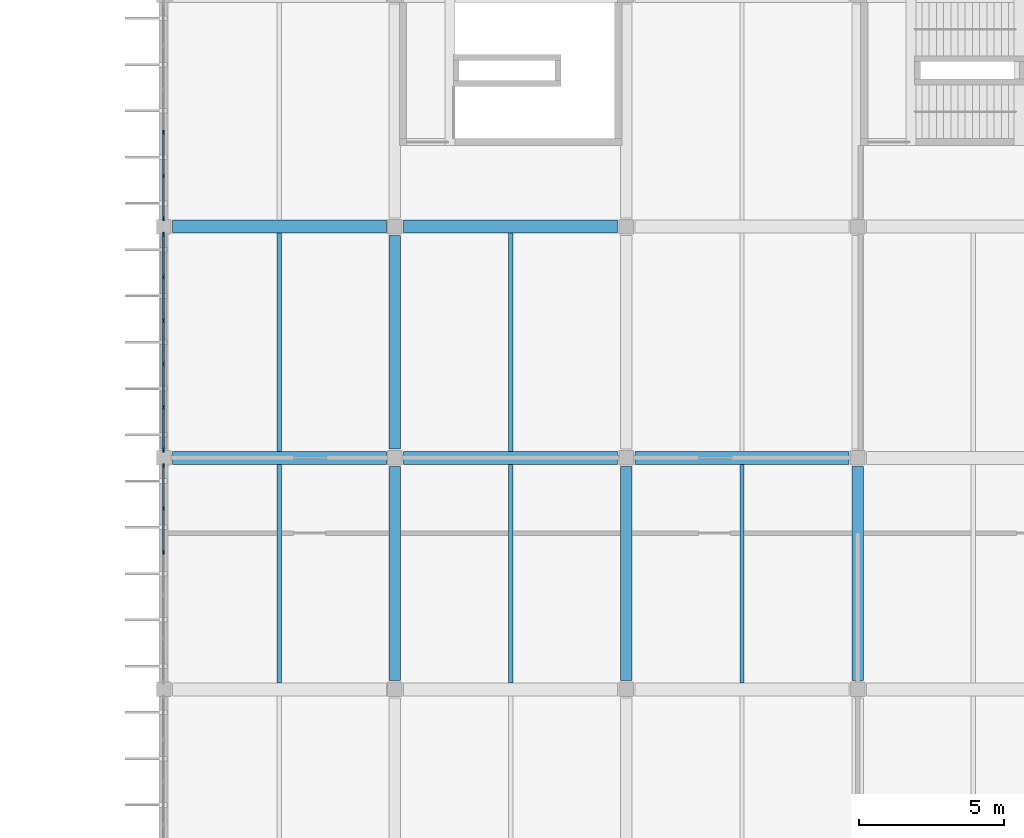
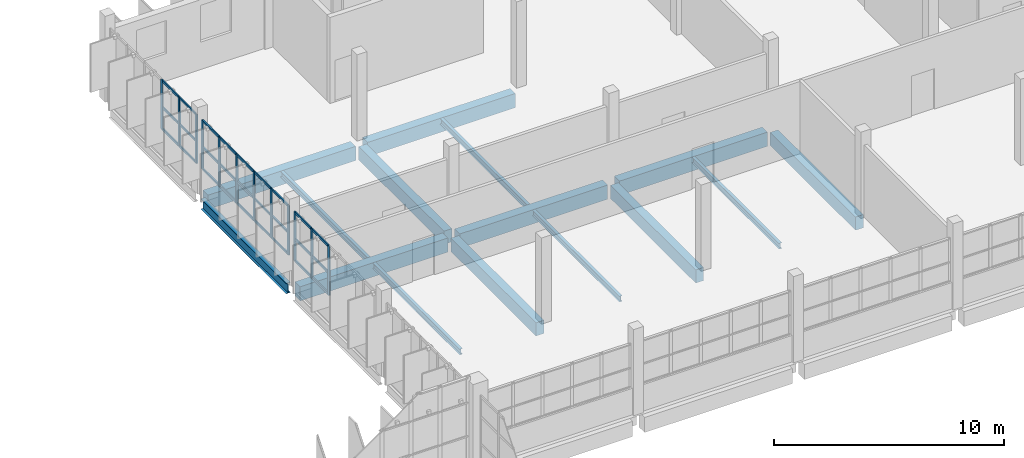
# One storey, part 36 of 93: 39 members, 15 beams, 3 elements without a shape of their own.
"""IFC4 building model written with IfcOpenShell, lengths in metres."""

from ifc_helpers import new_model, si_unit, direction, frame, origin, origin_2d, place, context, subcontext, project, spatial, rectangle, i_section, extrude, material, layer, layer_set, material_profile, profile_set, type_object, element, aggregate, save


model = new_model("IFC4")

# Units and contexts
model_context = context("Model", 3, precision=1e-05, world=origin(), true_north=direction((0.0, 1.0)))
body_context = subcontext(model_context, "Body", "Model", "MODEL_VIEW")
ifc_project = project(units=[si_unit("LENGTHUNIT", "METRE"), si_unit("AREAUNIT", "SQUARE_METRE"), si_unit("VOLUMEUNIT", "CUBIC_METRE"), si_unit("PLANEANGLEUNIT", "RADIAN"), si_unit("MASSUNIT", "GRAM", prefix="KILO")], contexts=[model_context])

# Site, building, storey
site_placement = place(None, origin())
site = spatial("IfcSite", under=ifc_project, at=site_placement, CompositionType="ELEMENT")
building_placement = place(site_placement, origin())
building = spatial("IfcBuilding", under=site, at=building_placement, Name="Drelvana Railside Aquatics Centre", CompositionType="ELEMENT")
storey_placement = place(building_placement, frame((0.0, 0.0, 5.39990234375)))
storey = spatial("IfcBuildingStorey", under=building, at=storey_placement, Name="L01", CompositionType="ELEMENT", Elevation=5.39990234375)

# Curtain wall, members
ifc_material_1 = material(Name="Bronze-anodised aluminium curtain wall", Category="aluminium")
ifc_layer = layer(ifc_material_1, 0.1650390625, Name="Bronze-anodised aluminium curtain wall")
ifc_layer_set = layer_set([ifc_layer], Name="Bronze-anodised aluminium curtain wall")
curtain_wall_type = type_object("IfcCurtainWallType", Name="CW-Z5-COURT", PredefinedType="NOTDEFINED", material=ifc_layer_set)
curtain_wall_1_placement = place(storey_placement, origin())
curtain_wall_1 = element("IfcCurtainWall", 1, at=curtain_wall_1_placement, inside=storey, type_object=curtain_wall_type, Name="Curtain wall CW-05-130", PredefinedType="NOTDEFINED")
ifc_material_2 = material(Name="Bronze-anodised aluminium 6063-T6", Category="aluminium")
ifc_material_profile_1 = material_profile(ifc_material_2, rectangle(XDim=0.06005859375, YDim=0.14990234375, at=origin_2d()), Name="ALU-M 60x150")
ifc_profile_set_1 = profile_set([ifc_material_profile_1], Name="Bronze-anodised aluminium 6063-T6")
member_type_1 = type_object("IfcMemberType", Name="CW-Z5-COURT-MUL", PredefinedType="MULLION", material=ifc_profile_set_1)
member_1_placement = place(storey_placement, frame((96.0, 96.751220703125, 1.244140625), z_axis=(0.0, 0.0, 1.0), x_axis=(-1.0, 0.0, 0.0)))
member_1 = element("IfcMember", 2, at=member_1_placement, type_object=member_type_1, Name="CW-05 mullion 4", PredefinedType="MULLION", context=body_context, shape_type="SweptSolid", body=[
    extrude(rectangle(XDim=0.06005859375, YDim=0.14990234375, at=origin_2d()), origin(), (0.0, 0.0, 1.0), 2.60595703125),
])
member_2_placement = place(storey_placement, frame((96.0, 98.253662109375, 1.244140625), z_axis=(0.0, 0.0, 1.0), x_axis=(-1.0, 0.0, 0.0)))
member_2 = element("IfcMember", 3, at=member_2_placement, type_object=member_type_1, Name="CW-05 mullion 5", PredefinedType="MULLION", context=body_context, shape_type="SweptSolid", body=[
    extrude(rectangle(XDim=0.06005859375, YDim=0.14990234375, at=origin_2d()), origin(), (0.0, 0.0, 1.0), 2.60595703125),
])
member_3_placement = place(storey_placement, frame((96.0, 99.72607421875, 1.244140625), z_axis=(0.0, 0.0, 1.0), x_axis=(-1.0, 0.0, 0.0)))
member_3 = element("IfcMember", 4, at=member_3_placement, type_object=member_type_1, Name="CW-05 mullion 6", PredefinedType="MULLION", context=body_context, shape_type="SweptSolid", body=[
    extrude(rectangle(XDim=0.06005859375, YDim=0.14990234375, at=origin_2d()), origin(), (0.0, 0.0, 1.0), 2.60595703125),
])

curtain_wall_2_placement = place(storey_placement, origin())
curtain_wall_2 = element("IfcCurtainWall", 5, at=curtain_wall_2_placement, inside=storey, type_object=curtain_wall_type, Name="Curtain wall CW-05-132", PredefinedType="NOTDEFINED")
member_4_placement = place(storey_placement, frame((96.0, 100.27392578125, 1.244140625), z_axis=(0.0, 0.0, 1.0), x_axis=(-1.0, 0.0, 0.0)))
member_4 = element("IfcMember", 6, at=member_4_placement, type_object=member_type_1, Name="CW-05 mullion 1", PredefinedType="MULLION", context=body_context, shape_type="SweptSolid", body=[
    extrude(rectangle(XDim=0.06005859375, YDim=0.14990234375, at=origin_2d()), origin(), (0.0, 0.0, 1.0), 2.60595703125),
])
member_5_placement = place(storey_placement, frame((96.0, 101.746337890625, 1.244140625), z_axis=(0.0, 0.0, 1.0), x_axis=(-1.0, 0.0, 0.0)))
member_5 = element("IfcMember", 7, at=member_5_placement, type_object=member_type_1, Name="CW-05 mullion 2", PredefinedType="MULLION", context=body_context, shape_type="SweptSolid", body=[
    extrude(rectangle(XDim=0.06005859375, YDim=0.14990234375, at=origin_2d()), origin(), (0.0, 0.0, 1.0), 2.60595703125),
])
member_6_placement = place(storey_placement, frame((96.0, 103.248779296875, 1.244140625), z_axis=(0.0, 0.0, 1.0), x_axis=(-1.0, 0.0, 0.0)))
member_6 = element("IfcMember", 8, at=member_6_placement, type_object=member_type_1, Name="CW-05 mullion 3", PredefinedType="MULLION", context=body_context, shape_type="SweptSolid", body=[
    extrude(rectangle(XDim=0.06005859375, YDim=0.14990234375, at=origin_2d()), origin(), (0.0, 0.0, 1.0), 2.60595703125),
])
member_7_placement = place(storey_placement, frame((96.0, 104.751220703125, 1.244140625), z_axis=(0.0, 0.0, 1.0), x_axis=(-1.0, 0.0, 0.0)))
member_7 = element("IfcMember", 9, at=member_7_placement, type_object=member_type_1, Name="CW-05 mullion 4", PredefinedType="MULLION", context=body_context, shape_type="SweptSolid", body=[
    extrude(rectangle(XDim=0.06005859375, YDim=0.14990234375, at=origin_2d()), origin(), (0.0, 0.0, 1.0), 2.60595703125),
])
member_8_placement = place(storey_placement, frame((96.0, 106.253662109375, 1.244140625), z_axis=(0.0, 0.0, 1.0), x_axis=(-1.0, 0.0, 0.0)))
member_8 = element("IfcMember", 10, at=member_8_placement, type_object=member_type_1, Name="CW-05 mullion 5", PredefinedType="MULLION", context=body_context, shape_type="SweptSolid", body=[
    extrude(rectangle(XDim=0.06005859375, YDim=0.14990234375, at=origin_2d()), origin(), (0.0, 0.0, 1.0), 2.60595703125),
])
member_9_placement = place(storey_placement, frame((96.0, 107.72607421875, 1.244140625), z_axis=(0.0, 0.0, 1.0), x_axis=(-1.0, 0.0, 0.0)))
member_9 = element("IfcMember", 11, at=member_9_placement, type_object=member_type_1, Name="CW-05 mullion 6", PredefinedType="MULLION", context=body_context, shape_type="SweptSolid", body=[
    extrude(rectangle(XDim=0.06005859375, YDim=0.14990234375, at=origin_2d()), origin(), (0.0, 0.0, 1.0), 2.60595703125),
])

curtain_wall_3_placement = place(storey_placement, origin())
curtain_wall_3 = element("IfcCurtainWall", 12, at=curtain_wall_3_placement, inside=storey, type_object=curtain_wall_type, Name="Curtain wall CW-05-134", PredefinedType="NOTDEFINED")
member_10_placement = place(storey_placement, frame((96.0, 108.27392578125, 1.244140625), z_axis=(0.0, 0.0, 1.0), x_axis=(-1.0, 0.0, 0.0)))
member_10 = element("IfcMember", 13, at=member_10_placement, type_object=member_type_1, Name="CW-05 mullion 1", PredefinedType="MULLION", context=body_context, shape_type="SweptSolid", body=[
    extrude(rectangle(XDim=0.06005859375, YDim=0.14990234375, at=origin_2d()), origin(), (0.0, 0.0, 1.0), 2.60595703125),
])
member_11_placement = place(storey_placement, frame((96.0, 109.746337890625, 1.244140625), z_axis=(0.0, 0.0, 1.0), x_axis=(-1.0, 0.0, 0.0)))
member_11 = element("IfcMember", 14, at=member_11_placement, type_object=member_type_1, Name="CW-05 mullion 2", PredefinedType="MULLION", context=body_context, shape_type="SweptSolid", body=[
    extrude(rectangle(XDim=0.06005859375, YDim=0.14990234375, at=origin_2d()), origin(), (0.0, 0.0, 1.0), 2.60595703125),
])
member_12_placement = place(storey_placement, frame((96.0, 111.248779296875, 1.244140625), z_axis=(0.0, 0.0, 1.0), x_axis=(-1.0, 0.0, 0.0)))
member_12 = element("IfcMember", 15, at=member_12_placement, type_object=member_type_1, Name="CW-05 mullion 3", PredefinedType="MULLION", context=body_context, shape_type="SweptSolid", body=[
    extrude(rectangle(XDim=0.06005859375, YDim=0.14990234375, at=origin_2d()), origin(), (0.0, 0.0, 1.0), 2.60595703125),
])

# Member
ifc_material_profile_2 = material_profile(ifc_material_2, rectangle(XDim=0.1201171875, YDim=0.06005859375, at=origin_2d()), Name="ALU-T 60x120")
ifc_profile_set_2 = profile_set([ifc_material_profile_2], Name="Bronze-anodised aluminium 6063-T6")
member_type_2 = type_object("IfcMemberType", Name="CW-Z5-COURT-TRN", PredefinedType="USERDEFINED", material=ifc_profile_set_2)
member_13_placement = place(storey_placement, frame((96.0, 96.776123046875, 1.274169921875), z_axis=(0.0, 1.0, 0.0), x_axis=(0.0, 0.0, 1.0)))
member_13 = element("IfcMember", 16, at=member_13_placement, type_object=member_type_2, Name="CW-05 transom 4.1", ObjectType="TRANSOM", PredefinedType="USERDEFINED", context=body_context, shape_type="SweptSolid", body=[
    extrude(rectangle(XDim=0.1201171875, YDim=0.06005859375, at=origin_2d()), origin(), (0.0, 0.0, 1.0), 1.452392578125),
])

member_14_placement = place(storey_placement, frame((96.0, 96.776123046875, 2.4169921875), z_axis=(0.0, 1.0, 0.0), x_axis=(0.0, 0.0, 1.0)))
member_14 = element("IfcMember", 17, at=member_14_placement, type_object=member_type_2, Name="CW-05 transom 4.2", ObjectType="TRANSOM", PredefinedType="USERDEFINED", context=body_context, shape_type="SweptSolid", body=[
    extrude(rectangle(XDim=0.1201171875, YDim=0.06005859375, at=origin_2d()), origin(), (0.0, 0.0, 1.0), 1.452392578125),
])

member_15_placement = place(storey_placement, frame((96.0, 96.776123046875, 3.820068359375), z_axis=(0.0, 1.0, 0.0), x_axis=(0.0, 0.0, 1.0)))
member_15 = element("IfcMember", 18, at=member_15_placement, type_object=member_type_2, Name="CW-05 transom 4.3", ObjectType="TRANSOM", PredefinedType="USERDEFINED", context=body_context, shape_type="SweptSolid", body=[
    extrude(rectangle(XDim=0.1201171875, YDim=0.06005859375, at=origin_2d()), origin(), (0.0, 0.0, 1.0), 1.452392578125),
])

member_16_placement = place(storey_placement, frame((96.0, 98.278564453125, 1.274169921875), z_axis=(0.0, 1.0, 0.0), x_axis=(0.0, 0.0, 1.0)))
member_16 = element("IfcMember", 19, at=member_16_placement, type_object=member_type_2, Name="CW-05 transom 5.1", ObjectType="TRANSOM", PredefinedType="USERDEFINED", context=body_context, shape_type="SweptSolid", body=[
    extrude(rectangle(XDim=0.1201171875, YDim=0.06005859375, at=origin_2d()), origin(), (0.0, 0.0, 1.0), 1.42236328125),
])

member_17_placement = place(storey_placement, frame((96.0, 98.278564453125, 2.4169921875), z_axis=(0.0, 1.0, 0.0), x_axis=(0.0, 0.0, 1.0)))
member_17 = element("IfcMember", 20, at=member_17_placement, type_object=member_type_2, Name="CW-05 transom 5.2", ObjectType="TRANSOM", PredefinedType="USERDEFINED", context=body_context, shape_type="SweptSolid", body=[
    extrude(rectangle(XDim=0.1201171875, YDim=0.06005859375, at=origin_2d()), origin(), (0.0, 0.0, 1.0), 1.42236328125),
])

member_18_placement = place(storey_placement, frame((96.0, 98.278564453125, 3.820068359375), z_axis=(0.0, 1.0, 0.0), x_axis=(0.0, 0.0, 1.0)))
member_18 = element("IfcMember", 21, at=member_18_placement, type_object=member_type_2, Name="CW-05 transom 5.3", ObjectType="TRANSOM", PredefinedType="USERDEFINED", context=body_context, shape_type="SweptSolid", body=[
    extrude(rectangle(XDim=0.1201171875, YDim=0.06005859375, at=origin_2d()), origin(), (0.0, 0.0, 1.0), 1.42236328125),
])

aggregate(curtain_wall_1, [member_1, member_2, member_3, member_13, member_14, member_15, member_16, member_17, member_18])

member_19_placement = place(storey_placement, frame((96.0, 100.299072265625, 1.274169921875), z_axis=(0.0, 1.0, 0.0), x_axis=(0.0, 0.0, 1.0)))
member_19 = element("IfcMember", 22, at=member_19_placement, type_object=member_type_2, Name="CW-05 transom 1.1", ObjectType="TRANSOM", PredefinedType="USERDEFINED", context=body_context, shape_type="SweptSolid", body=[
    extrude(rectangle(XDim=0.1201171875, YDim=0.06005859375, at=origin_2d()), origin(), (0.0, 0.0, 1.0), 1.42236328125),
])

member_20_placement = place(storey_placement, frame((96.0, 100.299072265625, 2.4169921875), z_axis=(0.0, 1.0, 0.0), x_axis=(0.0, 0.0, 1.0)))
member_20 = element("IfcMember", 23, at=member_20_placement, type_object=member_type_2, Name="CW-05 transom 1.2", ObjectType="TRANSOM", PredefinedType="USERDEFINED", context=body_context, shape_type="SweptSolid", body=[
    extrude(rectangle(XDim=0.1201171875, YDim=0.06005859375, at=origin_2d()), origin(), (0.0, 0.0, 1.0), 1.42236328125),
])

member_21_placement = place(storey_placement, frame((96.0, 100.299072265625, 3.820068359375), z_axis=(0.0, 1.0, 0.0), x_axis=(0.0, 0.0, 1.0)))
member_21 = element("IfcMember", 24, at=member_21_placement, type_object=member_type_2, Name="CW-05 transom 1.3", ObjectType="TRANSOM", PredefinedType="USERDEFINED", context=body_context, shape_type="SweptSolid", body=[
    extrude(rectangle(XDim=0.1201171875, YDim=0.06005859375, at=origin_2d()), origin(), (0.0, 0.0, 1.0), 1.42236328125),
])

member_22_placement = place(storey_placement, frame((96.0, 101.771484375, 1.274169921875), z_axis=(0.0, 1.0, 0.0), x_axis=(0.0, 0.0, 1.0)))
member_22 = element("IfcMember", 25, at=member_22_placement, type_object=member_type_2, Name="CW-05 transom 2.1", ObjectType="TRANSOM", PredefinedType="USERDEFINED", context=body_context, shape_type="SweptSolid", body=[
    extrude(rectangle(XDim=0.1201171875, YDim=0.06005859375, at=origin_2d()), origin(), (0.0, 0.0, 1.0), 1.452392578125),
])

member_23_placement = place(storey_placement, frame((96.0, 101.771484375, 2.4169921875), z_axis=(0.0, 1.0, 0.0), x_axis=(0.0, 0.0, 1.0)))
member_23 = element("IfcMember", 26, at=member_23_placement, type_object=member_type_2, Name="CW-05 transom 2.2", ObjectType="TRANSOM", PredefinedType="USERDEFINED", context=body_context, shape_type="SweptSolid", body=[
    extrude(rectangle(XDim=0.1201171875, YDim=0.06005859375, at=origin_2d()), origin(), (0.0, 0.0, 1.0), 1.452392578125),
])

member_24_placement = place(storey_placement, frame((96.0, 101.771484375, 3.820068359375), z_axis=(0.0, 1.0, 0.0), x_axis=(0.0, 0.0, 1.0)))
member_24 = element("IfcMember", 27, at=member_24_placement, type_object=member_type_2, Name="CW-05 transom 2.3", ObjectType="TRANSOM", PredefinedType="USERDEFINED", context=body_context, shape_type="SweptSolid", body=[
    extrude(rectangle(XDim=0.1201171875, YDim=0.06005859375, at=origin_2d()), origin(), (0.0, 0.0, 1.0), 1.452392578125),
])

member_25_placement = place(storey_placement, frame((96.0, 103.273681640625, 1.274169921875), z_axis=(0.0, 1.0, 0.0), x_axis=(0.0, 0.0, 1.0)))
member_25 = element("IfcMember", 28, at=member_25_placement, type_object=member_type_2, Name="CW-05 transom 3.1", ObjectType="TRANSOM", PredefinedType="USERDEFINED", context=body_context, shape_type="SweptSolid", body=[
    extrude(rectangle(XDim=0.1201171875, YDim=0.06005859375, at=origin_2d()), origin(), (0.0, 0.0, 1.0), 1.45263671875),
])

member_26_placement = place(storey_placement, frame((96.0, 103.273681640625, 2.4169921875), z_axis=(0.0, 1.0, 0.0), x_axis=(0.0, 0.0, 1.0)))
member_26 = element("IfcMember", 29, at=member_26_placement, type_object=member_type_2, Name="CW-05 transom 3.2", ObjectType="TRANSOM", PredefinedType="USERDEFINED", context=body_context, shape_type="SweptSolid", body=[
    extrude(rectangle(XDim=0.1201171875, YDim=0.06005859375, at=origin_2d()), origin(), (0.0, 0.0, 1.0), 1.45263671875),
])

member_27_placement = place(storey_placement, frame((96.0, 103.273681640625, 3.820068359375), z_axis=(0.0, 1.0, 0.0), x_axis=(0.0, 0.0, 1.0)))
member_27 = element("IfcMember", 30, at=member_27_placement, type_object=member_type_2, Name="CW-05 transom 3.3", ObjectType="TRANSOM", PredefinedType="USERDEFINED", context=body_context, shape_type="SweptSolid", body=[
    extrude(rectangle(XDim=0.1201171875, YDim=0.06005859375, at=origin_2d()), origin(), (0.0, 0.0, 1.0), 1.45263671875),
])

member_28_placement = place(storey_placement, frame((96.0, 104.776123046875, 1.274169921875), z_axis=(0.0, 1.0, 0.0), x_axis=(0.0, 0.0, 1.0)))
member_28 = element("IfcMember", 31, at=member_28_placement, type_object=member_type_2, Name="CW-05 transom 4.1", ObjectType="TRANSOM", PredefinedType="USERDEFINED", context=body_context, shape_type="SweptSolid", body=[
    extrude(rectangle(XDim=0.1201171875, YDim=0.06005859375, at=origin_2d()), origin(), (0.0, 0.0, 1.0), 1.452392578125),
])

member_29_placement = place(storey_placement, frame((96.0, 104.776123046875, 2.4169921875), z_axis=(0.0, 1.0, 0.0), x_axis=(0.0, 0.0, 1.0)))
member_29 = element("IfcMember", 32, at=member_29_placement, type_object=member_type_2, Name="CW-05 transom 4.2", ObjectType="TRANSOM", PredefinedType="USERDEFINED", context=body_context, shape_type="SweptSolid", body=[
    extrude(rectangle(XDim=0.1201171875, YDim=0.06005859375, at=origin_2d()), origin(), (0.0, 0.0, 1.0), 1.452392578125),
])

member_30_placement = place(storey_placement, frame((96.0, 104.776123046875, 3.820068359375), z_axis=(0.0, 1.0, 0.0), x_axis=(0.0, 0.0, 1.0)))
member_30 = element("IfcMember", 33, at=member_30_placement, type_object=member_type_2, Name="CW-05 transom 4.3", ObjectType="TRANSOM", PredefinedType="USERDEFINED", context=body_context, shape_type="SweptSolid", body=[
    extrude(rectangle(XDim=0.1201171875, YDim=0.06005859375, at=origin_2d()), origin(), (0.0, 0.0, 1.0), 1.452392578125),
])

member_31_placement = place(storey_placement, frame((96.0, 106.278564453125, 1.274169921875), z_axis=(0.0, 1.0, 0.0), x_axis=(0.0, 0.0, 1.0)))
member_31 = element("IfcMember", 34, at=member_31_placement, type_object=member_type_2, Name="CW-05 transom 5.1", ObjectType="TRANSOM", PredefinedType="USERDEFINED", context=body_context, shape_type="SweptSolid", body=[
    extrude(rectangle(XDim=0.1201171875, YDim=0.06005859375, at=origin_2d()), origin(), (0.0, 0.0, 1.0), 1.42236328125),
])

member_32_placement = place(storey_placement, frame((96.0, 106.278564453125, 2.4169921875), z_axis=(0.0, 1.0, 0.0), x_axis=(0.0, 0.0, 1.0)))
member_32 = element("IfcMember", 35, at=member_32_placement, type_object=member_type_2, Name="CW-05 transom 5.2", ObjectType="TRANSOM", PredefinedType="USERDEFINED", context=body_context, shape_type="SweptSolid", body=[
    extrude(rectangle(XDim=0.1201171875, YDim=0.06005859375, at=origin_2d()), origin(), (0.0, 0.0, 1.0), 1.42236328125),
])

member_33_placement = place(storey_placement, frame((96.0, 106.278564453125, 3.820068359375), z_axis=(0.0, 1.0, 0.0), x_axis=(0.0, 0.0, 1.0)))
member_33 = element("IfcMember", 36, at=member_33_placement, type_object=member_type_2, Name="CW-05 transom 5.3", ObjectType="TRANSOM", PredefinedType="USERDEFINED", context=body_context, shape_type="SweptSolid", body=[
    extrude(rectangle(XDim=0.1201171875, YDim=0.06005859375, at=origin_2d()), origin(), (0.0, 0.0, 1.0), 1.42236328125),
])

aggregate(curtain_wall_2, [member_4, member_5, member_6, member_7, member_8, member_9, member_19, member_20, member_21, member_22, member_23, member_24, member_25, member_26, member_27, member_28, member_29, member_30, member_31, member_32, member_33])

member_34_placement = place(storey_placement, frame((96.0, 108.299072265625, 1.274169921875), z_axis=(0.0, 1.0, 0.0), x_axis=(0.0, 0.0, 1.0)))
member_34 = element("IfcMember", 37, at=member_34_placement, type_object=member_type_2, Name="CW-05 transom 1.1", ObjectType="TRANSOM", PredefinedType="USERDEFINED", context=body_context, shape_type="SweptSolid", body=[
    extrude(rectangle(XDim=0.1201171875, YDim=0.06005859375, at=origin_2d()), origin(), (0.0, 0.0, 1.0), 1.42236328125),
])

member_35_placement = place(storey_placement, frame((96.0, 108.299072265625, 2.4169921875), z_axis=(0.0, 1.0, 0.0), x_axis=(0.0, 0.0, 1.0)))
member_35 = element("IfcMember", 38, at=member_35_placement, type_object=member_type_2, Name="CW-05 transom 1.2", ObjectType="TRANSOM", PredefinedType="USERDEFINED", context=body_context, shape_type="SweptSolid", body=[
    extrude(rectangle(XDim=0.1201171875, YDim=0.06005859375, at=origin_2d()), origin(), (0.0, 0.0, 1.0), 1.42236328125),
])

member_36_placement = place(storey_placement, frame((96.0, 108.299072265625, 3.820068359375), z_axis=(0.0, 1.0, 0.0), x_axis=(0.0, 0.0, 1.0)))
member_36 = element("IfcMember", 39, at=member_36_placement, type_object=member_type_2, Name="CW-05 transom 1.3", ObjectType="TRANSOM", PredefinedType="USERDEFINED", context=body_context, shape_type="SweptSolid", body=[
    extrude(rectangle(XDim=0.1201171875, YDim=0.06005859375, at=origin_2d()), origin(), (0.0, 0.0, 1.0), 1.42236328125),
])

member_37_placement = place(storey_placement, frame((96.0, 109.771484375, 1.274169921875), z_axis=(0.0, 1.0, 0.0), x_axis=(0.0, 0.0, 1.0)))
member_37 = element("IfcMember", 40, at=member_37_placement, type_object=member_type_2, Name="CW-05 transom 2.1", ObjectType="TRANSOM", PredefinedType="USERDEFINED", context=body_context, shape_type="SweptSolid", body=[
    extrude(rectangle(XDim=0.1201171875, YDim=0.06005859375, at=origin_2d()), origin(), (0.0, 0.0, 1.0), 1.452392578125),
])

member_38_placement = place(storey_placement, frame((96.0, 109.771484375, 2.4169921875), z_axis=(0.0, 1.0, 0.0), x_axis=(0.0, 0.0, 1.0)))
member_38 = element("IfcMember", 41, at=member_38_placement, type_object=member_type_2, Name="CW-05 transom 2.2", ObjectType="TRANSOM", PredefinedType="USERDEFINED", context=body_context, shape_type="SweptSolid", body=[
    extrude(rectangle(XDim=0.1201171875, YDim=0.06005859375, at=origin_2d()), origin(), (0.0, 0.0, 1.0), 1.452392578125),
])

member_39_placement = place(storey_placement, frame((96.0, 109.771484375, 3.820068359375), z_axis=(0.0, 1.0, 0.0), x_axis=(0.0, 0.0, 1.0)))
member_39 = element("IfcMember", 42, at=member_39_placement, type_object=member_type_2, Name="CW-05 transom 2.3", ObjectType="TRANSOM", PredefinedType="USERDEFINED", context=body_context, shape_type="SweptSolid", body=[
    extrude(rectangle(XDim=0.1201171875, YDim=0.06005859375, at=origin_2d()), origin(), (0.0, 0.0, 1.0), 1.452392578125),
])

aggregate(curtain_wall_3, [member_10, member_11, member_12, member_34, member_35, member_36, member_37, member_38, member_39])

# Beams
ifc_material_3 = material(Name="Concrete C40/50", Category="concrete")
ifc_material_profile_3 = material_profile(ifc_material_3, rectangle(XDim=0.39990234375, YDim=0.699951171875, at=origin_2d()), Name="RC 400x700")
ifc_profile_set_3 = profile_set([ifc_material_profile_3], Name="Concrete C40/50")
beam_type_1 = type_object("IfcBeamType", Name="STR-BM-BM-03-RC-400x700", PredefinedType="BEAM", material=ifc_profile_set_3)
for number, where, z_axis, x_axis, name in (
    (43, (104.0, 92.300048828125, -0.625), (0.0, 1.0, 0.0), (-1.0, 0.0, 0.0), "Girder BM-03 (L01)"),
    (44, (104.0, 100.300048828125, -0.625), (0.0, 1.0, 0.0), (-1.0, 0.0, 0.0), "Girder BM-03 (L01)"),
    (45, (112.0, 92.300048828125, -0.625), (0.0, 1.0, 0.0), (-1.0, 0.0, 0.0), "Girder BM-03 (L01)"),
    (46, (120.0, 92.300048828125, -0.625), (0.0, 1.0, 0.0), (-1.0, 0.0, 0.0), "Girder BM-03 (L01)"),
):
    element("IfcBeam", number, at=place(storey_placement, frame(where, z_axis=z_axis, x_axis=x_axis)), inside=storey, type_object=beam_type_1, Name=name, PredefinedType="BEAM", context=body_context, shape_type="SweptSolid", body=[
        extrude(rectangle(XDim=0.39990234375, YDim=0.699951171875, at=origin_2d()), origin(), (0.0, 0.0, 1.0), 7.39990234375),
    ])
ifc_material_profile_4 = material_profile(ifc_material_3, rectangle(XDim=0.449951171875, YDim=0.75, at=origin_2d()), Name="RC 450x750")
ifc_profile_set_4 = profile_set([ifc_material_profile_4], Name="Concrete C40/50")
beam_type_2 = type_object("IfcBeamType", Name="STR-BM-BM-04-RC-450x750", PredefinedType="BEAM", material=ifc_profile_set_4)
for number, where, z_axis, x_axis, name in (
    (47, (96.300048828125, 100.0, -0.64990234375), (1.0, 0.0, 0.0), (0.0, 1.0, 0.0), "Girder BM-04 (L01)"),
    (48, (104.300048828125, 100.0, -0.64990234375), (1.0, 0.0, 0.0), (0.0, 1.0, 0.0), "Girder BM-04 (L01)"),
    (49, (112.300048828125, 100.0, -0.64990234375), (1.0, 0.0, 0.0), (0.0, 1.0, 0.0), "Girder BM-04 (L01)"),
    (50, (96.300048828125, 108.0, -0.64990234375), (1.0, 0.0, 0.0), (0.0, 1.0, 0.0), "Girder BM-04 (L01)"),
    (51, (104.300048828125, 108.0, -0.64990234375), (1.0, 0.0, 0.0), (0.0, 1.0, 0.0), "Girder BM-04 (L01)"),
):
    element("IfcBeam", number, at=place(storey_placement, frame(where, z_axis=z_axis, x_axis=x_axis)), inside=storey, type_object=beam_type_2, Name=name, PredefinedType="BEAM", context=body_context, shape_type="SweptSolid", body=[
        extrude(rectangle(XDim=0.449951171875, YDim=0.75, at=origin_2d()), origin(), (0.0, 0.0, 1.0), 7.39990234375),
    ])
ifc_material_4 = material(Name="Structural steel S355", Category="steel")
ifc_material_profile_5 = material_profile(ifc_material_4, i_section(OverallWidth=0.2099609375, OverallDepth=0.550048828125, WebThickness=0.010986328125, FlangeThickness=0.01708984375, at=origin_2d()), Name="IPE 550")
ifc_profile_set_5 = profile_set([ifc_material_profile_5], Name="Structural steel S355")
beam_type_3 = type_object("IfcBeamType", Name="STR-SBM-SB-04-IPE-550", PredefinedType="SPANDREL", material=ifc_profile_set_5)
beam_placement = place(storey_placement, frame((96.0, 100.300048828125, -0.5498046875), z_axis=(0.0, 1.0, 0.0), x_axis=(-1.0, 0.0, 0.0)))
element("IfcBeam", 52, at=beam_placement, inside=storey, type_object=beam_type_3, Name="Girder SB-04 (L01)", PredefinedType="SPANDREL", context=body_context, shape_type="SweptSolid", body=[
    extrude(i_section(OverallWidth=0.2099609375, OverallDepth=0.550048828125, WebThickness=0.010986328125, FlangeThickness=0.01708984375, at=origin_2d()), origin(), (0.0, 0.0, 1.0), 7.39990234375),
])
ifc_material_profile_6 = material_profile(ifc_material_4, i_section(OverallWidth=0.14990234375, OverallDepth=0.300048828125, WebThickness=0.007080078125, FlangeThickness=0.0107421875, at=origin_2d()), Name="IPE 300")
ifc_profile_set_6 = profile_set([ifc_material_profile_6], Name="Structural steel S355")
beam_type_4 = type_object("IfcBeamType", Name="STR-SBM-SJ-03-IPE-300", PredefinedType="JOIST", material=ifc_profile_set_6)
for number, where, z_axis, x_axis, name in (
    (53, (100.0, 92.22509765625, -0.4248046875), (0.0, 1.0, 0.0), (-1.0, 0.0, 0.0), "Secondary floor joist SJ-03 (L01)"),
    (54, (100.0, 100.22509765625, -0.4248046875), (0.0, 1.0, 0.0), (-1.0, 0.0, 0.0), "Secondary floor joist SJ-03 (L01)"),
    (55, (108.0, 92.22509765625, -0.4248046875), (0.0, 1.0, 0.0), (-1.0, 0.0, 0.0), "Secondary floor joist SJ-03 (L01)"),
    (56, (108.0, 100.22509765625, -0.4248046875), (0.0, 1.0, 0.0), (-1.0, 0.0, 0.0), "Secondary floor joist SJ-03 (L01)"),
    (57, (116.0, 92.22509765625, -0.4248046875), (0.0, 1.0, 0.0), (-1.0, 0.0, 0.0), "Secondary floor joist SJ-03 (L01)"),
):
    element("IfcBeam", number, at=place(storey_placement, frame(where, z_axis=z_axis, x_axis=x_axis)), inside=storey, type_object=beam_type_4, Name=name, PredefinedType="JOIST", context=body_context, shape_type="SweptSolid", body=[
        extrude(i_section(OverallWidth=0.14990234375, OverallDepth=0.300048828125, WebThickness=0.007080078125, FlangeThickness=0.0107421875, at=origin_2d()), origin(), (0.0, 0.0, 1.0), 7.5498046875),
    ])

save(model, "model.ifc")
